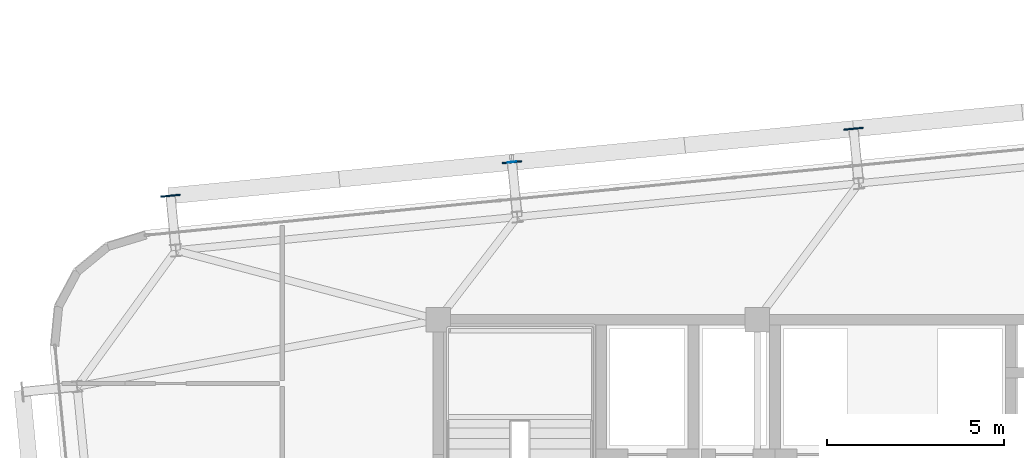
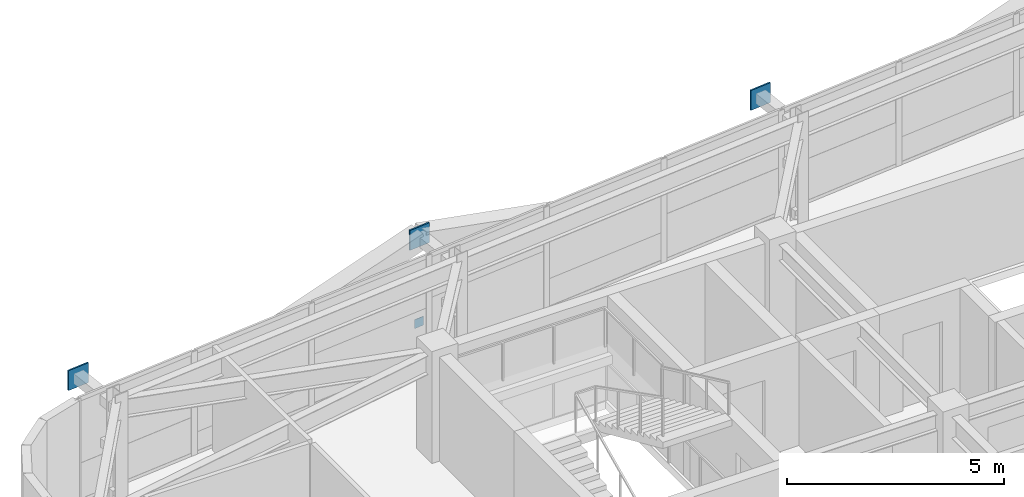
# One storey, part 43 of 52: 4 plates.
"""IFC4 building model written with IfcOpenShell, lengths in metres."""

from ifc_helpers import new_model, si_unit, direction, frame, origin, origin_2d, place, context, subcontext, project, spatial, rectangle, extrude, source, transform, mapped, material, layer, layer_set, type_object, element, save


model = new_model("IFC4")

# Units and contexts
model_context = context("Model", 3, precision=1e-05, world=origin(), true_north=direction((0.0, 1.0)))
body_context = subcontext(model_context, "Body", "Model", "MODEL_VIEW")
ifc_project = project(units=[si_unit("LENGTHUNIT", "METRE"), si_unit("AREAUNIT", "SQUARE_METRE"), si_unit("VOLUMEUNIT", "CUBIC_METRE"), si_unit("PLANEANGLEUNIT", "RADIAN"), si_unit("MASSUNIT", "GRAM", prefix="KILO")], contexts=[model_context])

# Site, building, storey
site_placement = place(None, origin())
site = spatial("IfcSite", under=ifc_project, at=site_placement, CompositionType="ELEMENT")
building_placement = place(site_placement, origin())
building = spatial("IfcBuilding", under=site, at=building_placement, Name="Taldren Reach Tower", CompositionType="ELEMENT")
storey_placement = place(building_placement, frame((0.0, 0.0, 74.550048828125)))
storey = spatial("IfcBuildingStorey", under=building, at=storey_placement, Name="L22", CompositionType="ELEMENT", Elevation=74.550048828125)

# Plates
ifc_material_1 = material(Name="Steel Gr 450 (C450L0)", Category="steel")
ifc_layer_1 = layer(ifc_material_1, 0.0400390625)
ifc_layer_set_1 = layer_set([ifc_layer_1], Name="Steel Gr 450 (C450L0)")
plate_type_1 = type_object("IfcPlateType", Name="PL-GUSSET-40", PredefinedType="SHEET", material=ifc_layer_set_1)
shared_shape_1 = source(origin(), body_context, "Body", "SweptSolid", [
    extrude(rectangle(XDim=0.56005859375, YDim=0.0400390625, at=origin_2d()), origin(), (0.0, 0.0, 1.0), 0.56005859375),
])
for number, where, z_axis, x_axis, name in (
    (1, (11.445556640625, 35.49951171875, 2.369873046875), (0.0, 0.0, 1.0), (0.995227399982, 0.097582899759, 0.0), "Exoskeleton star-node gusset plate B2-N1 L22"),
    (2, (21.079345703125, 36.444091796875, 2.369873046875), (0.0, 0.0, 1.0), (0.995227399982, 0.097582899759, 0.0), "Exoskeleton star-node gusset plate B2-N2 L22"),
    (3, (30.713134765625, 37.388671875, 2.369873046875), (0.0, 0.0, 1.0), (0.995227399982, 0.097582899759, 0.0), "Exoskeleton star-node gusset plate B2-N3 L22"),
):
    element("IfcPlate", number, at=place(storey_placement, frame(where, z_axis=z_axis, x_axis=x_axis)), inside=storey, type_object=plate_type_1, Name=name, PredefinedType="SHEET", context=body_context, shape_type="MappedRepresentation", body=[
        mapped(shared_shape_1, transform((0.0, 0.0, 0.0), scale=1.0)),
    ])
ifc_material_2 = material(Name="Steel Gr 350 (C350L0)", Category="steel")
ifc_layer_2 = layer(ifc_material_2, 0.011962890625)
ifc_layer_set_2 = layer_set([ifc_layer_2], Name="Steel Gr 350 (C350L0)")
plate_type_2 = type_object("IfcPlateType", Name="PL-CAP-250", PredefinedType="SHEET", material=ifc_layer_set_2)
shared_shape_2 = source(origin(), body_context, "Body", "SweptSolid", [
    extrude(rectangle(XDim=0.25, YDim=0.011962890625, at=origin_2d()), origin(), (0.0, 0.0, 1.0), 0.25),
])
plate_placement = place(storey_placement, frame((21.078857421875, 36.449951171875, 0.094970703125), z_axis=(0.0, 0.0, 1.0), x_axis=(0.995227399982, 0.097582899759, 0.0)))
element("IfcPlate", 4, at=plate_placement, inside=storey, type_object=plate_type_2, Name="Tie strut end cap plate B2-N2 L22", PredefinedType="SHEET", context=body_context, shape_type="MappedRepresentation", body=[
    mapped(shared_shape_2, transform((0.0, 0.0, 0.0), scale=1.0)),
])

save(model, "model.ifc")
